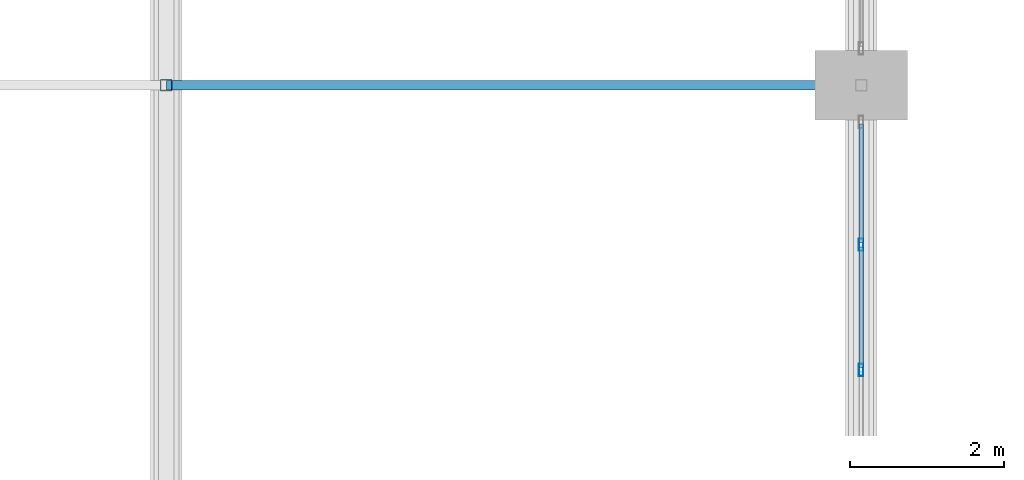
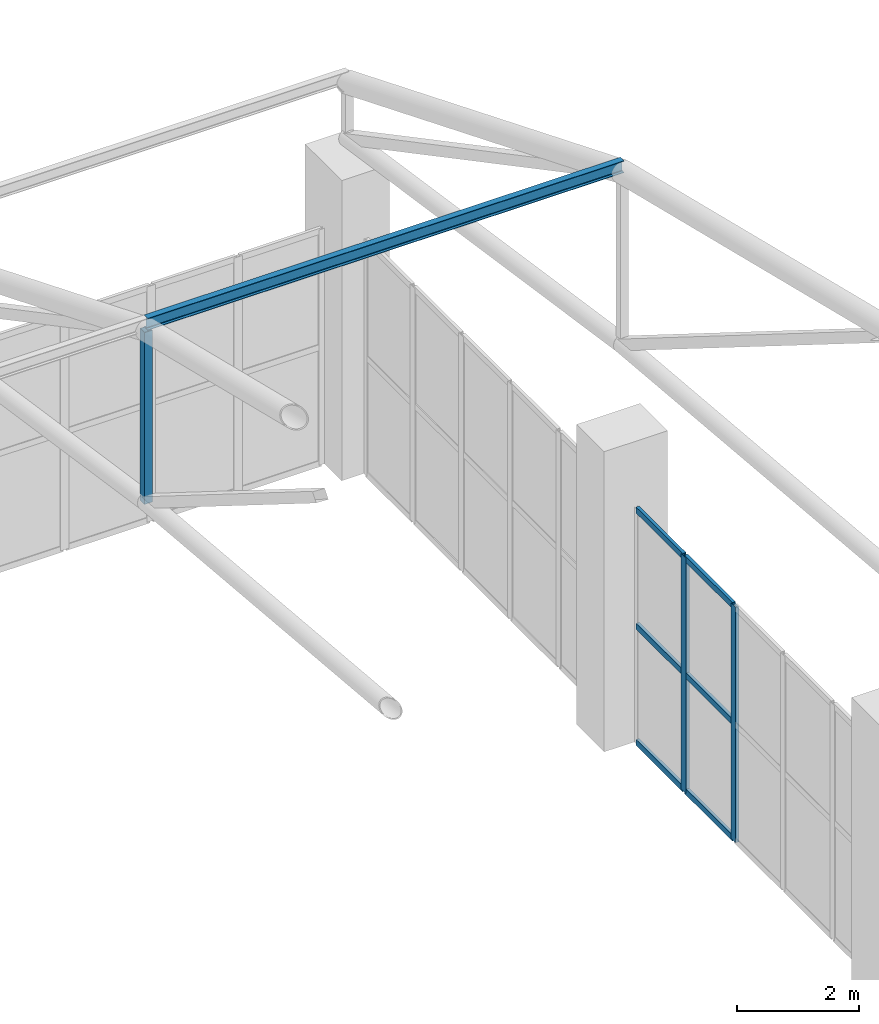
# One storey, part 154 of 223: 10 members, 1 element without a shape of its own.
"""IFC4 building model written with IfcOpenShell, lengths in metres."""

from ifc_helpers import new_model, si_unit, direction, frame, origin, origin_2d, place, context, subcontext, project, spatial, hollow_rectangle, i_section, extrude, material, layer, layer_set, material_profile, profile_set, type_object, element, aggregate, save


model = new_model("IFC4")

# Units and contexts
model_context = context("Model", 3, precision=1e-05, world=origin(), true_north=direction((0.0, 1.0)))
body_context = subcontext(model_context, "Body", "Model", "MODEL_VIEW")
ifc_project = project(units=[si_unit("LENGTHUNIT", "METRE"), si_unit("AREAUNIT", "SQUARE_METRE"), si_unit("VOLUMEUNIT", "CUBIC_METRE"), si_unit("PLANEANGLEUNIT", "RADIAN"), si_unit("MASSUNIT", "GRAM", prefix="KILO")], contexts=[model_context])

# Site, building, storey
site_placement = place(None, origin())
site = spatial("IfcSite", under=ifc_project, at=site_placement, CompositionType="ELEMENT")
building_placement = place(site_placement, origin())
building = spatial("IfcBuilding", under=site, at=building_placement, Name="Dornveld Trade and Exhibition Forum", CompositionType="ELEMENT")
storey_placement = place(building_placement, frame((0.0, 0.0, 6.0)))
storey = spatial("IfcBuildingStorey", under=building, at=storey_placement, Name="L01", CompositionType="ELEMENT", Elevation=6.0)

# Curtain wall, members
ifc_material_1 = material(Name="Dark-bronze anodised aluminium and low-E glass", Category="aluminium")
ifc_layer = layer(ifc_material_1, 0.18701171875)
ifc_layer_set = layer_set([ifc_layer], Name="Dark-bronze anodised aluminium and low-E glass")
curtain_wall_type = type_object("IfcCurtainWallType", Name="CW-SYS-15", PredefinedType="USERDEFINED", material=ifc_layer_set)
curtain_wall_placement = place(storey_placement, origin())
curtain_wall = element("IfcCurtainWall", 1, at=curtain_wall_placement, inside=storey, type_object=curtain_wall_type, Name="L01 unitised curtain wall 15", ObjectType="UNITISED_CURTAIN_WALL", PredefinedType="USERDEFINED")
ifc_material_2 = material(Name="Dark-bronze anodised aluminium", Category="aluminium")
ifc_material_profile_1 = material_profile(ifc_material_2, hollow_rectangle(XDim=0.06005859375, YDim=0.159912109375, WallThickness=0.00390625, at=origin_2d()), Name="RHS 160x60x4")
ifc_profile_set_1 = profile_set([ifc_material_profile_1], Name="Dark-bronze anodised aluminium")
member_type_1 = type_object("IfcMemberType", Name="CW-MUL-160", PredefinedType="MULLION", material=ifc_profile_set_1)
member_1_placement = place(storey_placement, frame((171.0, 149.310791015625, -0.00390625), z_axis=(0.0, 0.0, 1.0), x_axis=(-1.0, 0.0, 0.0)))
member_1 = element("IfcMember", 2, at=member_1_placement, type_object=member_type_1, Name="CW-15 mullion 4", PredefinedType="MULLION", context=body_context, shape_type="SweptSolid", body=[
    extrude(hollow_rectangle(XDim=0.06005859375, YDim=0.159912109375, WallThickness=0.00390625, at=origin_2d()), origin(), (0.0, 0.0, 1.0), 4.703857421875),
])
member_2_placement = place(storey_placement, frame((171.0, 150.932373046875, -0.00390625), z_axis=(0.0, 0.0, 1.0), x_axis=(-1.0, 0.0, 0.0)))
member_2 = element("IfcMember", 3, at=member_2_placement, type_object=member_type_1, Name="CW-15 mullion 5", PredefinedType="MULLION", context=body_context, shape_type="SweptSolid", body=[
    extrude(hollow_rectangle(XDim=0.06005859375, YDim=0.159912109375, WallThickness=0.00390625, at=origin_2d()), origin(), (0.0, 0.0, 1.0), 4.703857421875),
])
ifc_material_3 = material(Name="Dark-bronze anodised aluminium", Category="aluminium")
ifc_material_profile_2 = material_profile(ifc_material_3, hollow_rectangle(XDim=0.06005859375, YDim=0.1201171875, WallThickness=0.00390625, at=origin_2d()), Name="RHS 120x60x4")
ifc_profile_set_2 = profile_set([ifc_material_profile_2], Name="Dark-bronze anodised aluminium")
member_type_2 = type_object("IfcMemberType", Name="CW-TRN-120", PredefinedType="USERDEFINED", material=ifc_profile_set_2)
member_3_placement = place(storey_placement, frame((171.0, 149.3408203125, 0.02587890625), z_axis=(0.0, 1.0, 0.0), x_axis=(-1.0, 0.0, 0.0)))
member_3 = element("IfcMember", 4, at=member_3_placement, type_object=member_type_2, Name="CW-15 transom 4.1", ObjectType="TRANSOM", PredefinedType="USERDEFINED", context=body_context, shape_type="SweptSolid", body=[
    extrude(hollow_rectangle(XDim=0.06005859375, YDim=0.1201171875, WallThickness=0.00390625, at=origin_2d()), origin(), (0.0, 0.0, 1.0), 1.5615234375),
])
member_4_placement = place(storey_placement, frame((171.0, 149.3408203125, 2.347900390625), z_axis=(0.0, 1.0, 0.0), x_axis=(-1.0, 0.0, 0.0)))
member_4 = element("IfcMember", 5, at=member_4_placement, type_object=member_type_2, Name="CW-15 transom 4.2", ObjectType="TRANSOM", PredefinedType="USERDEFINED", context=body_context, shape_type="SweptSolid", body=[
    extrude(hollow_rectangle(XDim=0.06005859375, YDim=0.1201171875, WallThickness=0.00390625, at=origin_2d()), origin(), (0.0, 0.0, 1.0), 1.5615234375),
])
member_5_placement = place(storey_placement, frame((171.0, 149.3408203125, 4.669921875), z_axis=(0.0, 1.0, 0.0), x_axis=(-1.0, 0.0, 0.0)))
member_5 = element("IfcMember", 6, at=member_5_placement, type_object=member_type_2, Name="CW-15 transom 4.3", ObjectType="TRANSOM", PredefinedType="USERDEFINED", context=body_context, shape_type="SweptSolid", body=[
    extrude(hollow_rectangle(XDim=0.06005859375, YDim=0.1201171875, WallThickness=0.00390625, at=origin_2d()), origin(), (0.0, 0.0, 1.0), 1.5615234375),
])
member_6_placement = place(storey_placement, frame((171.0, 150.96240234375, 0.02587890625), z_axis=(0.0, 1.0, 0.0), x_axis=(-1.0, 0.0, 0.0)))
member_6 = element("IfcMember", 7, at=member_6_placement, type_object=member_type_2, Name="CW-15 transom 5.1", ObjectType="TRANSOM", PredefinedType="USERDEFINED", context=body_context, shape_type="SweptSolid", body=[
    extrude(hollow_rectangle(XDim=0.06005859375, YDim=0.1201171875, WallThickness=0.00390625, at=origin_2d()), origin(), (0.0, 0.0, 1.0), 1.531494140625),
])
member_7_placement = place(storey_placement, frame((171.0, 150.96240234375, 2.347900390625), z_axis=(0.0, 1.0, 0.0), x_axis=(-1.0, 0.0, 0.0)))
member_7 = element("IfcMember", 8, at=member_7_placement, type_object=member_type_2, Name="CW-15 transom 5.2", ObjectType="TRANSOM", PredefinedType="USERDEFINED", context=body_context, shape_type="SweptSolid", body=[
    extrude(hollow_rectangle(XDim=0.06005859375, YDim=0.1201171875, WallThickness=0.00390625, at=origin_2d()), origin(), (0.0, 0.0, 1.0), 1.531494140625),
])
member_8_placement = place(storey_placement, frame((171.0, 150.96240234375, 4.669921875), z_axis=(0.0, 1.0, 0.0), x_axis=(-1.0, 0.0, 0.0)))
member_8 = element("IfcMember", 9, at=member_8_placement, type_object=member_type_2, Name="CW-15 transom 5.3", ObjectType="TRANSOM", PredefinedType="USERDEFINED", context=body_context, shape_type="SweptSolid", body=[
    extrude(hollow_rectangle(XDim=0.06005859375, YDim=0.1201171875, WallThickness=0.00390625, at=origin_2d()), origin(), (0.0, 0.0, 1.0), 1.531494140625),
])
aggregate(curtain_wall, [member_1, member_2, member_3, member_4, member_5, member_6, member_7, member_8])

# Members
ifc_material_4 = material(Name="Steel S355J2", Category="steel")
ifc_material_profile_3 = material_profile(ifc_material_4, hollow_rectangle(XDim=0.14990234375, YDim=0.14990234375, WallThickness=0.008056640625, at=origin_2d()), Name="SHS 150x150x8")
ifc_profile_set_3 = profile_set([ifc_material_profile_3], Name="Steel S355J2")
member_type_3 = type_object("IfcMemberType", Name="MEM-ARCH-STR", PredefinedType="STRUT", material=ifc_profile_set_3)
member_9_placement = place(storey_placement, frame((162.0, 153.0, 7.683349609375), z_axis=(0.0, 0.0, 1.0), x_axis=(1.0, 0.0, 0.0)))
element("IfcMember", 10, at=member_9_placement, inside=storey, type_object=member_type_3, Name="H1 truss 8 strut 6", PredefinedType="STRUT", context=body_context, shape_type="SweptSolid", body=[
    extrude(hollow_rectangle(XDim=0.14990234375, YDim=0.14990234375, WallThickness=0.008056640625, at=origin_2d()), origin(), (0.0, 0.0, 1.0), 3.433349609375),
])
ifc_material_5 = material(Name="Steel S355J2", Category="steel")
ifc_material_profile_4 = material_profile(ifc_material_5, i_section(OverallWidth=0.1201171875, OverallDepth=0.239990234375, WebThickness=0.006103515625, FlangeThickness=0.009765625, FilletRadius=0.014892578125, at=origin_2d()), Name="IPE 240")
ifc_profile_set_4 = profile_set([ifc_material_profile_4], Name="Steel S355J2")
member_type_4 = type_object("IfcMemberType", Name="MEM-PURLIN-240", PredefinedType="PURLIN", material=ifc_profile_set_4)
member_10_placement = place(storey_placement, frame((162.0, 153.0, 11.248779296875), z_axis=(1.0, 0.0, 0.0), x_axis=(0.0, 1.0, 0.0)))
element("IfcMember", 11, at=member_10_placement, inside=storey, type_object=member_type_4, Name="H1 bay 8 roof purlin 6", PredefinedType="PURLIN", context=body_context, shape_type="SweptSolid", body=[
    extrude(i_section(OverallWidth=0.1201171875, OverallDepth=0.239990234375, WebThickness=0.006103515625, FlangeThickness=0.009765625, FilletRadius=0.014892578125, at=origin_2d()), origin(), (0.0, 0.0, 1.0), 9.0),
])

save(model, "model.ifc")
